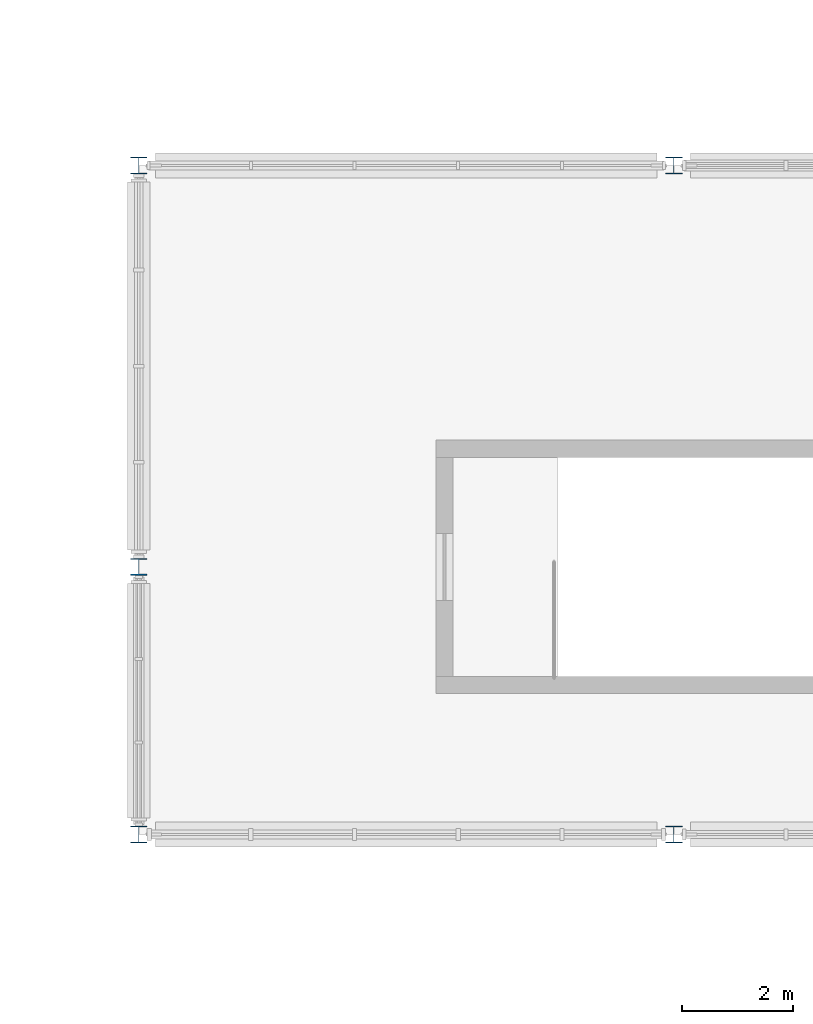
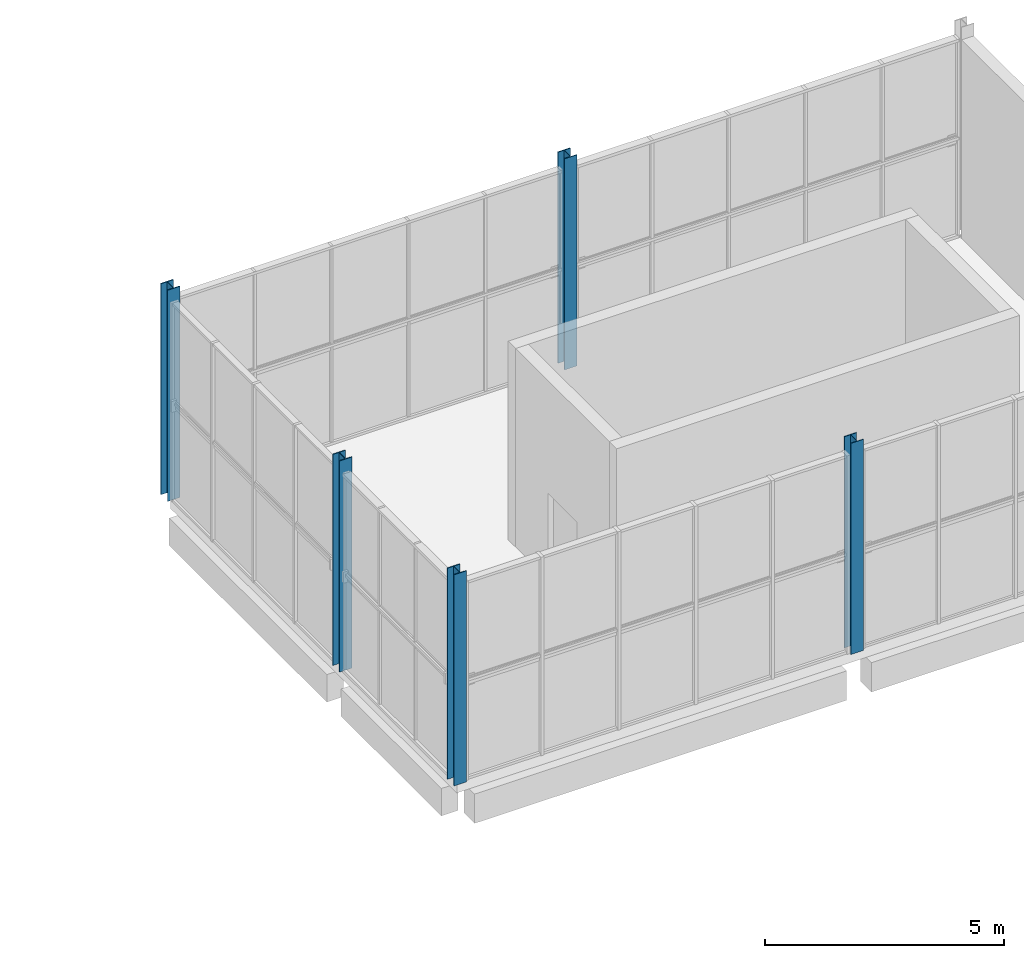
# One storey, part 2 of 83: 5 columns.
"""IFC4 building model written with IfcOpenShell, lengths in metres."""

from ifc_helpers import new_model, si_unit, direction, frame, origin, origin_2d, place, context, subcontext, project, spatial, i_section, extrude, material, material_profile, profile_set, type_object, element, save


model = new_model("IFC4")

# Units and contexts
model_context = context("Model", 3, precision=1e-05, world=origin(), true_north=direction((0.0, 1.0)))
body_context = subcontext(model_context, "Body", "Model", "MODEL_VIEW")
ifc_project = project(units=[si_unit("LENGTHUNIT", "METRE"), si_unit("AREAUNIT", "SQUARE_METRE"), si_unit("VOLUMEUNIT", "CUBIC_METRE"), si_unit("PLANEANGLEUNIT", "RADIAN"), si_unit("MASSUNIT", "GRAM", prefix="KILO")], contexts=[model_context])

# Site, building, storey
site_placement = place(None, origin())
site = spatial("IfcSite", under=ifc_project, at=site_placement, CompositionType="ELEMENT")
building_placement = place(site_placement, origin())
building = spatial("IfcBuilding", under=site, at=building_placement, Name="Shalvenor Court Art Gallery", CompositionType="ELEMENT")
storey_placement = place(building_placement, frame((0.0, 0.0, 6.0)))
storey = spatial("IfcBuildingStorey", under=building, at=storey_placement, Name="L01", CompositionType="ELEMENT", Elevation=6.0)

# Columns
ifc_material = material(Name="Steel S355", Category="steel")
ifc_material_profile = material_profile(ifc_material, i_section(OverallWidth=0.300048828125, OverallDepth=0.300048828125, WebThickness=0.010986328125, FlangeThickness=0.01904296875, at=origin_2d()), Name="HEB 300")
ifc_profile_set = profile_set([ifc_material_profile], Name="Steel S355")
column_type = type_object("IfcColumnType", Name="C-10", PredefinedType="COLUMN", material=ifc_profile_set)
for number, where, z_axis, x_axis, name in (
    (1, (48.0, 45.60009765625, 0.0), (0.0, 0.0, 1.0), (1.0, 0.0, 0.0), "L01 Column COL-L01-C-10-0210"),
    (2, (48.0, 50.39990234375, 0.0), (0.0, 0.0, 1.0), (1.0, 0.0, 0.0), "L01 Column COL-L01-C-10-0213"),
    (3, (48.0, 57.60009765625, 0.0), (0.0, 0.0, 1.0), (1.0, 0.0, 0.0), "L01 Column COL-L01-C-10-0216"),
    (4, (57.60009765625, 45.60009765625, 0.0), (0.0, 0.0, 1.0), (1.0, 0.0, 0.0), "L01 Column COL-L01-C-10-0233"),
    (5, (57.60009765625, 57.60009765625, 0.0), (0.0, 0.0, 1.0), (1.0, 0.0, 0.0), "L01 Column COL-L01-C-10-0236"),
):
    element("IfcColumn", number, at=place(storey_placement, frame(where, z_axis=z_axis, x_axis=x_axis)), inside=storey, type_object=column_type, Name=name, PredefinedType="COLUMN", context=body_context, shape_type="SweptSolid", body=[
        extrude(i_section(OverallWidth=0.300048828125, OverallDepth=0.300048828125, WebThickness=0.010986328125, FlangeThickness=0.01904296875, at=origin_2d()), origin(), (0.0, 0.0, 1.0), 5.39990234375),
    ])

save(model, "model.ifc")
